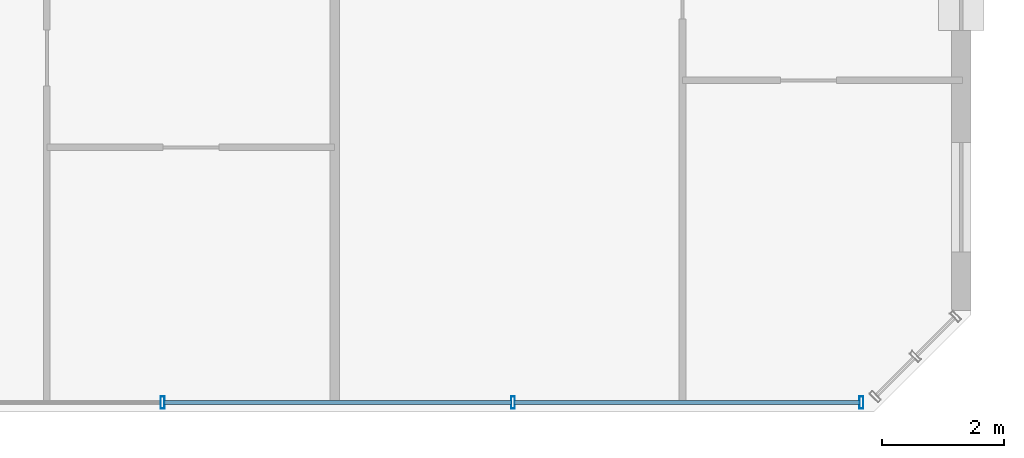
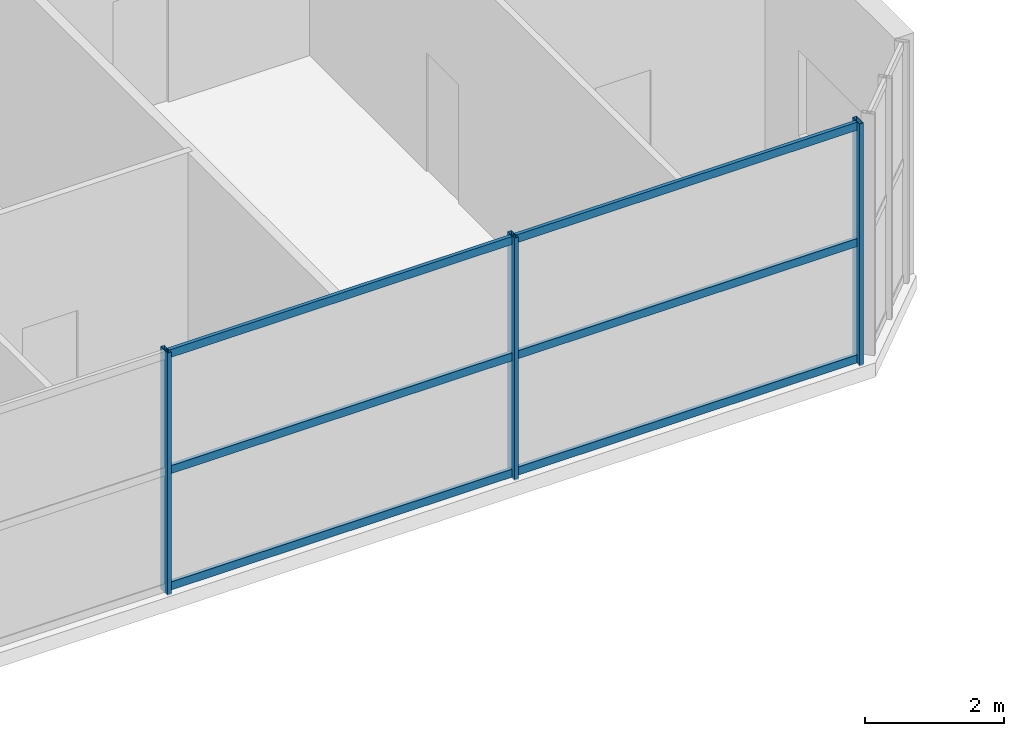
# One storey, part 8 of 32: 9 members, 1 element without a shape of its own.
"""IFC4 building model written with IfcOpenShell, lengths in metres."""

import ifcopenshell
import ifcopenshell.guid

model = None  # the IFC model being written
_history = None  # IfcOwnerHistory: only IFC2X3 demands one
_inside = {}  # id of a spatial element -> (the spatial element, [elements in it])
_under = {}  # id of a project, library or spatial element -> (it, [spatial elements below it])
_declared = {}  # id of a project -> (the project, [libraries it declares])
_typed = {}  # id of a type object -> (the type object, [elements of that type])
_made_of = {}  # id of a material, layer set ... -> (it, [elements and type objects made of it])


def new_model(schema):
    """Start an empty IFC model of exactly this schema.

    Asked for "IFC4X3", IfcOpenShell would pick the latest addendum, in which some entities
    have other attributes; the version numbers below select the first issue.
    IFC2X3 requires an IfcOwnerHistory on every rooted entity: one is made here for all.
    """
    global model, _history
    if schema == "IFC4X3":
        model = ifcopenshell.file(schema_version=(4, 3, 0, 0))
    else:
        model = ifcopenshell.file(schema=schema)
    _inside.clear()
    _under.clear()
    _declared.clear()
    _typed.clear()
    _made_of.clear()
    _history = None
    if model.schema == "IFC2X3":
        org = make("IfcOrganization", Name="unknown")
        user = make(
            "IfcPersonAndOrganization",
            ThePerson=make("IfcPerson", FamilyName="unknown"),
            TheOrganization=org,
        )
        app = make(
            "IfcApplication",
            ApplicationDeveloper=org,
            Version="unknown",
            ApplicationFullName="unknown",
            ApplicationIdentifier="unknown",
        )
        _history = make(
            "IfcOwnerHistory",
            OwningUser=user,
            OwningApplication=app,
            ChangeAction="ADDED",
            CreationDate=0,
        )
    return model


def make(cls, **values):
    """One entity of the class cls with the attributes given. An attribute that is None is left unset."""
    return model.create_entity(
        cls, **{name: value for name, value in values.items() if value is not None}
    )


def rooted(cls, **values):
    """An entity with a GlobalId (a new one), such as an element, a storey or a relation."""
    return make(cls, GlobalId=ifcopenshell.guid.new(), OwnerHistory=_history, **values)


def si_unit(unit_type, name, prefix=None):
    """IfcSIUnit, for example si_unit("LENGTHUNIT", "METRE", prefix="MILLI")."""
    return make("IfcSIUnit", UnitType=unit_type, Prefix=prefix, Name=name)


def assignment(units):
    """IfcUnitAssignment: the units of a project."""
    return None if units is None else make("IfcUnitAssignment", Units=units)


def point(xyz):
    """IfcCartesianPoint."""
    return None if xyz is None else make("IfcCartesianPoint", Coordinates=xyz)


def direction(xyz):
    """IfcDirection."""
    return None if xyz is None else make("IfcDirection", DirectionRatios=xyz)


def frame(location, z_axis=None, x_axis=None):
    """IfcAxis2Placement3D, a coordinate frame: its origin and axes. An axis left out is left unset."""
    return make(
        "IfcAxis2Placement3D",
        Location=point(location),
        Axis=direction(z_axis),
        RefDirection=direction(x_axis),
    )


def frame_2d(location, x_axis=None):
    """IfcAxis2Placement2D, a coordinate frame in the plane: its origin and x axis."""
    return make(
        "IfcAxis2Placement2D", Location=point(location), RefDirection=direction(x_axis)
    )


def origin():
    """The frame at (0, 0, 0) with its axes left unset."""
    return frame((0.0, 0.0, 0.0))


def origin_2d():
    """The frame at (0, 0) in the plane with its x axis left unset."""
    return frame_2d((0.0, 0.0))


def place(relative_to, where):
    """IfcLocalPlacement: puts the frame where relative to a parent placement (None: the world)."""
    return make(
        "IfcLocalPlacement", PlacementRelTo=relative_to, RelativePlacement=where
    )


def context(
    kind, dimensions, precision=None, world=None, true_north=None, identifier=None
):
    """IfcGeometricRepresentationContext, for example the 3D "Model" context."""
    return make(
        "IfcGeometricRepresentationContext",
        ContextIdentifier=identifier,
        ContextType=kind,
        CoordinateSpaceDimension=dimensions,
        Precision=precision,
        WorldCoordinateSystem=world,
        TrueNorth=true_north,
    )


def subcontext(parent, identifier, kind, view, scale=None):
    """IfcGeometricRepresentationSubContext, for example "Body" below "Model"."""
    return make(
        "IfcGeometricRepresentationSubContext",
        ContextIdentifier=identifier,
        ContextType=kind,
        ParentContext=parent,
        TargetScale=scale,
        TargetView=view,
    )


def project(units=None, contexts=None):
    """IfcProject with its units and contexts."""
    return rooted(
        "IfcProject",
        Name="project",
        RepresentationContexts=contexts,
        UnitsInContext=assignment(units),
    )


def spatial(cls, under=None, at=None, **own):
    """A site, building, storey or space (cls), placed at a placement, below another one or the project."""
    s = rooted(cls, ObjectPlacement=at, **own)
    if under is not None:
        _under.setdefault(under.id(), (under, []))[1].append(s)
    return s


def profile(cls, at=None, kind="AREA", **sizes):
    """A parametric profile (cls). Its sizes go by their IFC names, for example OverallWidth=200.0."""
    return make(cls, ProfileType=kind, Position=at, **sizes)


def hollow_rectangle(**sizes):
    """IfcRectangleHollowProfileDef."""
    return profile("IfcRectangleHollowProfileDef", **sizes)


def extrude(swept, where, along, depth):
    """IfcExtrudedAreaSolid: the profile swept, set in the frame where, extruded along a direction by depth."""
    return make(
        "IfcExtrudedAreaSolid",
        SweptArea=swept,
        Position=where,
        ExtrudedDirection=direction(along),
        Depth=depth,
    )


def shape(context_of_items, identifier, shape_type, items):
    """IfcShapeRepresentation: the items that make up one representation, for example the "Body"."""
    return make(
        "IfcShapeRepresentation",
        ContextOfItems=context_of_items,
        RepresentationIdentifier=identifier,
        RepresentationType=shape_type,
        Items=items,
    )


def source(mapping_origin, context_of_items, identifier, shape_type, items):
    """IfcRepresentationMap: a shape defined once, which mapped items show again and again."""
    return make(
        "IfcRepresentationMap",
        MappingOrigin=mapping_origin,
        MappedRepresentation=shape(context_of_items, identifier, shape_type, items),
    )


def transform(
    local_origin,
    x_axis=None,
    y_axis=None,
    z_axis=None,
    scale=None,
    scale2=None,
    scale3=None,
    uniform=True,
):
    """IfcCartesianTransformationOperator3D, or its non-uniform kind. x_axis, y_axis, z_axis: its Axis1, 2, 3."""
    if uniform:
        return make(
            "IfcCartesianTransformationOperator3D",
            Axis1=direction(x_axis),
            Axis2=direction(y_axis),
            LocalOrigin=point(local_origin),
            Scale=scale,
            Axis3=direction(z_axis),
        )
    return make(
        "IfcCartesianTransformationOperator3DnonUniform",
        Axis1=direction(x_axis),
        Axis2=direction(y_axis),
        LocalOrigin=point(local_origin),
        Scale=scale,
        Axis3=direction(z_axis),
        Scale2=scale2,
        Scale3=scale3,
    )


def mapped(mapping_source, mapping_target):
    """IfcMappedItem: shows the shape of a source again, moved by a transform."""
    return make(
        "IfcMappedItem", MappingSource=mapping_source, MappingTarget=mapping_target
    )


def material(Name=None, Category=None):
    """IfcMaterial."""
    return make("IfcMaterial", Name=Name, Category=Category)


def material_profile(
    of_material, cross_section, Name=None, Category=None, Priority=None
):
    """IfcMaterialProfile: a cross section and its material."""
    return make(
        "IfcMaterialProfile",
        Name=Name,
        Material=of_material,
        Profile=cross_section,
        Priority=Priority,
        Category=Category,
    )


def profile_set(profiles, Name=None, composite=None):
    """IfcMaterialProfileSet."""
    return make(
        "IfcMaterialProfileSet",
        Name=Name,
        MaterialProfiles=profiles,
        CompositeProfile=composite,
    )


def made_of(thing, what):
    """Note that an element or type object is made of a material, layer set ...; save() writes the relation."""
    if what is not None:
        _made_of.setdefault(what.id(), (what, []))[1].append(thing)
    return thing


def type_object(cls, material=None, **own):
    """A type object (cls), such as IfcWallType, which elements share."""
    return made_of(rooted(cls, **own), material)


def element(
    cls,
    number,
    at=None,
    inside=None,
    cuts=None,
    type_object=None,
    material=None,
    context=None,
    identifier="Body",
    shape_type=None,
    held_by="IfcProductDefinitionShape",
    body=None,
    shapes=None,
    **own,
):
    """One element of the class cls, such as IfcWall. Its Tag is "e" and its number.

    at: its placement. inside: the storey or other place that contains it. cuts: it is an
    opening in that element (IfcRelVoidsElement). A single representation is given by context,
    identifier, shape_type and body (its items); several are given by shapes. held_by: the class
    of the entity that holds the representations. save() writes the other relations.
    """
    e = rooted(cls, Tag="e%d" % number, ObjectPlacement=at, **own)
    if body is not None:
        shapes = [shape(context, identifier, shape_type, body)]
    if shapes is not None:
        e.Representation = make(held_by, Representations=shapes)
    if inside is not None:
        _inside.setdefault(inside.id(), (inside, []))[1].append(e)
    if cuts is not None:
        rooted(
            "IfcRelVoidsElement", RelatingBuildingElement=cuts, RelatedOpeningElement=e
        )
    if type_object is not None:
        _typed.setdefault(type_object.id(), (type_object, []))[1].append(e)
    return made_of(e, material)


def aggregate(whole, parts):
    """IfcRelAggregates: a whole, such as a stair, and the parts it consists of."""
    return rooted("IfcRelAggregates", RelatingObject=whole, RelatedObjects=parts)


def save(model, path):
    """Write the relations noted so far, then the file.

    IfcRelAggregates (storeys below a building ...), IfcRelContainedInSpatialStructure (elements
    in a storey), IfcRelDefinesByType, IfcRelAssociatesMaterial and IfcRelDeclares: one each for
    every whole, place, type object, material and project.
    """
    for whole, parts in _under.values():
        aggregate(whole, parts)
    for where, things in _inside.values():
        rooted(
            "IfcRelContainedInSpatialStructure",
            RelatedElements=things,
            RelatingStructure=where,
        )
    for kind, things in _typed.values():
        rooted("IfcRelDefinesByType", RelatedObjects=things, RelatingType=kind)
    for what, things in _made_of.values():
        rooted("IfcRelAssociatesMaterial", RelatedObjects=things, RelatingMaterial=what)
    for by, libraries in _declared.values():
        rooted("IfcRelDeclares", RelatingContext=by, RelatedDefinitions=libraries)
    model.write(path)


model = new_model("IFC4")

# Units and contexts
model_context = context("Model", 3, precision=1e-05, world=origin(), true_north=direction((0.0, 1.0)))
body_context = subcontext(model_context, "Body", "Model", "MODEL_VIEW")
ifc_project = project(units=[si_unit("LENGTHUNIT", "METRE"), si_unit("AREAUNIT", "SQUARE_METRE"), si_unit("VOLUMEUNIT", "CUBIC_METRE"), si_unit("PLANEANGLEUNIT", "RADIAN"), si_unit("MASSUNIT", "GRAM", prefix="KILO")], contexts=[model_context])

# Site, building, storey
site_placement = place(None, origin())
site = spatial("IfcSite", under=ifc_project, at=site_placement, CompositionType="ELEMENT")
building_placement = place(site_placement, origin())
building = spatial("IfcBuilding", under=site, at=building_placement, Name="Tlacorven Tower", CompositionType="ELEMENT")
storey_placement = place(building_placement, frame((0.0, 0.0, 123.300048828125)))
storey = spatial("IfcBuildingStorey", under=building, at=storey_placement, Name="L31", CompositionType="ELEMENT", Elevation=123.300048828125)

# Curtain wall, members
ifc_material_1 = material(Name="Dark solar low-E double glazing in aluminium frame", Category="aluminium")
curtain_wall_type = type_object("IfcCurtainWallType", Name="CW-TWR-MID", PredefinedType="USERDEFINED", material=ifc_material_1)
curtain_wall_placement = place(storey_placement, origin())
curtain_wall = element("IfcCurtainWall", 1, at=curtain_wall_placement, inside=storey, type_object=curtain_wall_type, Name="L31 CW-TWR-MID Curtain Wall 152", ObjectType="UNITISED CURTAIN WALL", PredefinedType="USERDEFINED")
ifc_material_2 = material(Name="Aluminium 6063-T6 anodised", Category="aluminium")
ifc_material_profile_1 = material_profile(ifc_material_2, hollow_rectangle(XDim=0.06005859375, YDim=0.139892578125, WallThickness=0.00390625, at=origin_2d()), Name="ALU TRANSOM 60X140")
ifc_profile_set_1 = profile_set([ifc_material_profile_1], Name="Aluminium 6063-T6 anodised")
member_type_1 = type_object("IfcMemberType", Name="CWT-02", PredefinedType="USERDEFINED", material=ifc_profile_set_1)
shared_shape_1 = source(origin(), body_context, "Body", "SweptSolid", [
    extrude(hollow_rectangle(XDim=0.06005859375, YDim=0.139892578125, WallThickness=0.00390625, at=origin_2d()), origin(), (0.0, 0.0, 1.0), 5.682373046875),
])
member_1_placement = place(storey_placement, frame((50.580810546875, 1.9599609375, 0.070068359375), z_axis=(-1.0, 0.0, 0.0), x_axis=(0.0, -1.0, 0.0)))
member_1 = element("IfcMember", 2, at=member_1_placement, type_object=member_type_1, Name="CW-L31-152 Transom 1", ObjectType="TRANSOM", PredefinedType="USERDEFINED", context=body_context, shape_type="MappedRepresentation", body=[
    mapped(shared_shape_1, transform((0.0, 0.0, 0.0), scale=1.0)),
])
member_2_placement = place(storey_placement, frame((50.580810546875, 1.9599609375, 2.10986328125), z_axis=(-1.0, 0.0, 0.0), x_axis=(0.0, -1.0, 0.0)))
member_2 = element("IfcMember", 3, at=member_2_placement, type_object=member_type_1, Name="CW-L31-152 Transom 2", ObjectType="TRANSOM", PredefinedType="USERDEFINED", context=body_context, shape_type="MappedRepresentation", body=[
    mapped(shared_shape_1, transform((0.0, 0.0, 0.0), scale=1.0)),
])
member_3_placement = place(storey_placement, frame((50.580810546875, 1.9599609375, 4.14990234375), z_axis=(-1.0, 0.0, 0.0), x_axis=(0.0, -1.0, 0.0)))
member_3 = element("IfcMember", 4, at=member_3_placement, type_object=member_type_1, Name="CW-L31-152 Transom 3", ObjectType="TRANSOM", PredefinedType="USERDEFINED", context=body_context, shape_type="MappedRepresentation", body=[
    mapped(shared_shape_1, transform((0.0, 0.0, 0.0), scale=1.0)),
])
shared_shape_2 = source(origin(), body_context, "Body", "SweptSolid", [
    extrude(hollow_rectangle(XDim=0.06005859375, YDim=0.139892578125, WallThickness=0.00390625, at=origin_2d()), origin(), (0.0, 0.0, 1.0), 5.71484375),
])
member_4_placement = place(storey_placement, frame((44.857421875, 1.9599609375, 0.070068359375), z_axis=(-1.0, 0.0, 0.0), x_axis=(0.0, -1.0, 0.0)))
member_4 = element("IfcMember", 5, at=member_4_placement, type_object=member_type_1, Name="CW-L31-152 Transom 4", ObjectType="TRANSOM", PredefinedType="USERDEFINED", context=body_context, shape_type="MappedRepresentation", body=[
    mapped(shared_shape_2, transform((0.0, 0.0, 0.0), scale=1.0)),
])
member_5_placement = place(storey_placement, frame((44.857421875, 1.9599609375, 2.10986328125), z_axis=(-1.0, 0.0, 0.0), x_axis=(0.0, -1.0, 0.0)))
member_5 = element("IfcMember", 6, at=member_5_placement, type_object=member_type_1, Name="CW-L31-152 Transom 5", ObjectType="TRANSOM", PredefinedType="USERDEFINED", context=body_context, shape_type="MappedRepresentation", body=[
    mapped(shared_shape_2, transform((0.0, 0.0, 0.0), scale=1.0)),
])
member_6_placement = place(storey_placement, frame((44.857421875, 1.9599609375, 4.14990234375), z_axis=(-1.0, 0.0, 0.0), x_axis=(0.0, -1.0, 0.0)))
member_6 = element("IfcMember", 7, at=member_6_placement, type_object=member_type_1, Name="CW-L31-152 Transom 6", ObjectType="TRANSOM", PredefinedType="USERDEFINED", context=body_context, shape_type="MappedRepresentation", body=[
    mapped(shared_shape_2, transform((0.0, 0.0, 0.0), scale=1.0)),
])
ifc_material_profile_2 = material_profile(ifc_material_2, hollow_rectangle(XDim=0.06494140625, YDim=0.199951171875, WallThickness=0.00439453125, at=origin_2d()), Name="ALU MULLION 65X200")
ifc_profile_set_2 = profile_set([ifc_material_profile_2], Name="Aluminium 6063-T6 anodised")
member_type_2 = type_object("IfcMemberType", Name="CWM-02", PredefinedType="MULLION", material=ifc_profile_set_2)
shared_shape_3 = source(origin(), body_context, "Body", "SweptSolid", [
    extrude(hollow_rectangle(XDim=0.06494140625, YDim=0.199951171875, WallThickness=0.00439453125, at=origin_2d()), origin(), (0.0, 0.0, 1.0), 4.25),
])
member_7_placement = place(storey_placement, frame((50.601318359375, 1.9599609375, -0.02001953125), z_axis=(0.0, 0.0, 1.0), x_axis=(-1.0, 0.0, 0.0)))
member_7 = element("IfcMember", 8, at=member_7_placement, type_object=member_type_2, Name="CW-L31-152 Mullion 1", PredefinedType="MULLION", context=body_context, shape_type="MappedRepresentation", body=[
    mapped(shared_shape_3, transform((0.0, 0.0, 0.0), scale=1.0)),
])
member_8_placement = place(storey_placement, frame((44.8779296875, 1.9599609375, -0.02001953125), z_axis=(0.0, 0.0, 1.0), x_axis=(-1.0, 0.0, 0.0)))
member_8 = element("IfcMember", 9, at=member_8_placement, type_object=member_type_2, Name="CW-L31-152 Mullion 2", PredefinedType="MULLION", context=body_context, shape_type="MappedRepresentation", body=[
    mapped(shared_shape_3, transform((0.0, 0.0, 0.0), scale=1.0)),
])
member_9_placement = place(storey_placement, frame((39.1220703125, 1.9599609375, -0.02001953125), z_axis=(0.0, 0.0, 1.0), x_axis=(-1.0, 0.0, 0.0)))
member_9 = element("IfcMember", 10, at=member_9_placement, type_object=member_type_2, Name="CW-L31-152 Mullion 3", PredefinedType="MULLION", context=body_context, shape_type="MappedRepresentation", body=[
    mapped(shared_shape_3, transform((0.0, 0.0, 0.0), scale=1.0)),
])
aggregate(curtain_wall, [member_7, member_8, member_9, member_1, member_2, member_3, member_4, member_5, member_6])

save(model, "model.ifc")
